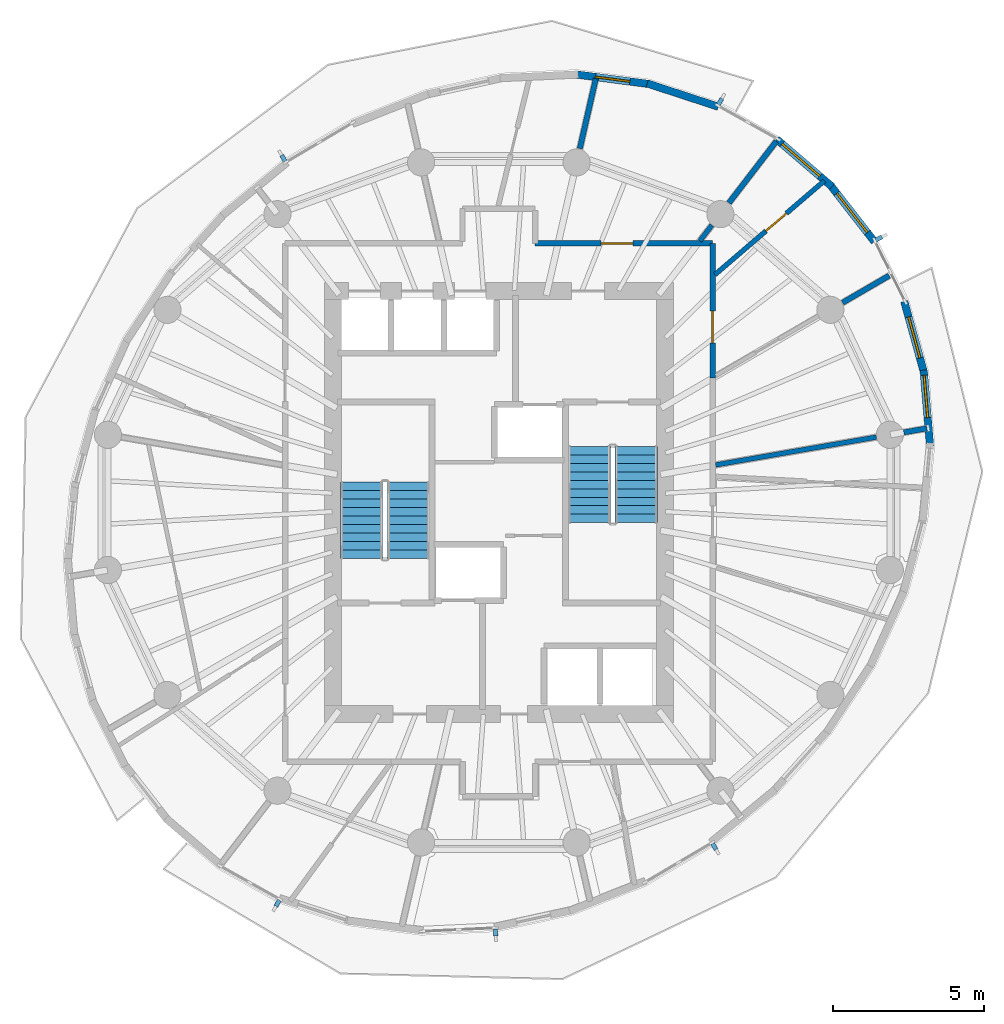
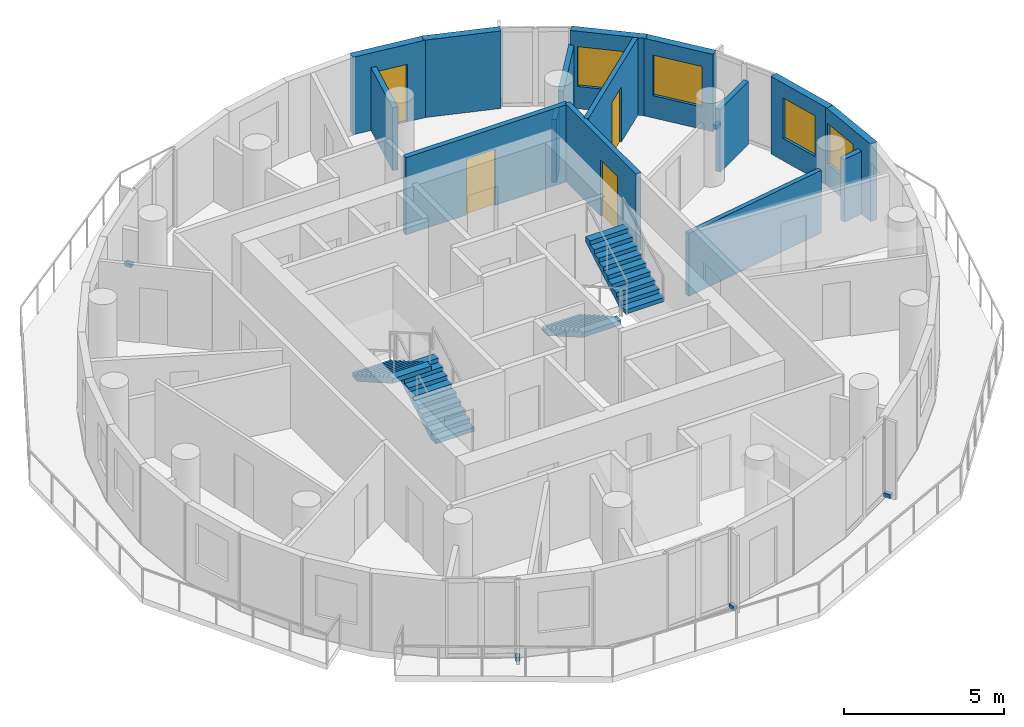
# One storey, part 7 of 10: 15 walls, 6 discrete accessories, 4 doors, 4 stair flights, 4 windows, 8 openings, 2 elements without a shape of their own.
"""IFC4 building model written with IfcOpenShell, lengths in metres."""

import ifcopenshell
import ifcopenshell.guid

model = None  # the IFC model being written
_history = None  # IfcOwnerHistory: only IFC2X3 demands one
_inside = {}  # id of a spatial element -> (the spatial element, [elements in it])
_under = {}  # id of a project, library or spatial element -> (it, [spatial elements below it])
_declared = {}  # id of a project -> (the project, [libraries it declares])
_typed = {}  # id of a type object -> (the type object, [elements of that type])
_made_of = {}  # id of a material, layer set ... -> (it, [elements and type objects made of it])


def new_model(schema):
    """Start an empty IFC model of exactly this schema.

    Asked for "IFC4X3", IfcOpenShell would pick the latest addendum, in which some entities
    have other attributes; the version numbers below select the first issue.
    IFC2X3 requires an IfcOwnerHistory on every rooted entity: one is made here for all.
    """
    global model, _history
    if schema == "IFC4X3":
        model = ifcopenshell.file(schema_version=(4, 3, 0, 0))
    else:
        model = ifcopenshell.file(schema=schema)
    _inside.clear()
    _under.clear()
    _declared.clear()
    _typed.clear()
    _made_of.clear()
    _history = None
    if model.schema == "IFC2X3":
        org = make("IfcOrganization", Name="unknown")
        user = make(
            "IfcPersonAndOrganization",
            ThePerson=make("IfcPerson", FamilyName="unknown"),
            TheOrganization=org,
        )
        app = make(
            "IfcApplication",
            ApplicationDeveloper=org,
            Version="unknown",
            ApplicationFullName="unknown",
            ApplicationIdentifier="unknown",
        )
        _history = make(
            "IfcOwnerHistory",
            OwningUser=user,
            OwningApplication=app,
            ChangeAction="ADDED",
            CreationDate=0,
        )
    return model


def make(cls, **values):
    """One entity of the class cls with the attributes given. An attribute that is None is left unset."""
    return model.create_entity(
        cls, **{name: value for name, value in values.items() if value is not None}
    )


def rooted(cls, **values):
    """An entity with a GlobalId (a new one), such as an element, a storey or a relation."""
    return make(cls, GlobalId=ifcopenshell.guid.new(), OwnerHistory=_history, **values)


def si_unit(unit_type, name, prefix=None):
    """IfcSIUnit, for example si_unit("LENGTHUNIT", "METRE", prefix="MILLI")."""
    return make("IfcSIUnit", UnitType=unit_type, Prefix=prefix, Name=name)


def assignment(units):
    """IfcUnitAssignment: the units of a project."""
    return None if units is None else make("IfcUnitAssignment", Units=units)


def point(xyz):
    """IfcCartesianPoint."""
    return None if xyz is None else make("IfcCartesianPoint", Coordinates=xyz)


def direction(xyz):
    """IfcDirection."""
    return None if xyz is None else make("IfcDirection", DirectionRatios=xyz)


def frame(location, z_axis=None, x_axis=None):
    """IfcAxis2Placement3D, a coordinate frame: its origin and axes. An axis left out is left unset."""
    return make(
        "IfcAxis2Placement3D",
        Location=point(location),
        Axis=direction(z_axis),
        RefDirection=direction(x_axis),
    )


def frame_2d(location, x_axis=None):
    """IfcAxis2Placement2D, a coordinate frame in the plane: its origin and x axis."""
    return make(
        "IfcAxis2Placement2D", Location=point(location), RefDirection=direction(x_axis)
    )


def origin():
    """The frame at (0, 0, 0) with its axes left unset."""
    return frame((0.0, 0.0, 0.0))


def origin_2d():
    """The frame at (0, 0) in the plane with its x axis left unset."""
    return frame_2d((0.0, 0.0))


def place(relative_to, where):
    """IfcLocalPlacement: puts the frame where relative to a parent placement (None: the world)."""
    return make(
        "IfcLocalPlacement", PlacementRelTo=relative_to, RelativePlacement=where
    )


def context(
    kind, dimensions, precision=None, world=None, true_north=None, identifier=None
):
    """IfcGeometricRepresentationContext, for example the 3D "Model" context."""
    return make(
        "IfcGeometricRepresentationContext",
        ContextIdentifier=identifier,
        ContextType=kind,
        CoordinateSpaceDimension=dimensions,
        Precision=precision,
        WorldCoordinateSystem=world,
        TrueNorth=true_north,
    )


def subcontext(parent, identifier, kind, view, scale=None):
    """IfcGeometricRepresentationSubContext, for example "Body" below "Model"."""
    return make(
        "IfcGeometricRepresentationSubContext",
        ContextIdentifier=identifier,
        ContextType=kind,
        ParentContext=parent,
        TargetScale=scale,
        TargetView=view,
    )


def project(units=None, contexts=None):
    """IfcProject with its units and contexts."""
    return rooted(
        "IfcProject",
        Name="project",
        RepresentationContexts=contexts,
        UnitsInContext=assignment(units),
    )


def spatial(cls, under=None, at=None, **own):
    """A site, building, storey or space (cls), placed at a placement, below another one or the project."""
    s = rooted(cls, ObjectPlacement=at, **own)
    if under is not None:
        _under.setdefault(under.id(), (under, []))[1].append(s)
    return s


def polyline(points):
    """IfcPolyline through the points."""
    return make("IfcPolyline", Points=[point(p) for p in points])


def profile(cls, at=None, kind="AREA", **sizes):
    """A parametric profile (cls). Its sizes go by their IFC names, for example OverallWidth=200.0."""
    return make(cls, ProfileType=kind, Position=at, **sizes)


def rectangle(**sizes):
    """IfcRectangleProfileDef."""
    return profile("IfcRectangleProfileDef", **sizes)


def outline(outer, holes=None, kind="AREA"):
    """IfcArbitraryClosedProfileDef: a profile drawn as a closed curve; with holes, ...WithVoids."""
    if holes is None:
        return make("IfcArbitraryClosedProfileDef", ProfileType=kind, OuterCurve=outer)
    return make(
        "IfcArbitraryProfileDefWithVoids",
        ProfileType=kind,
        OuterCurve=outer,
        InnerCurves=holes,
    )


def extrude(swept, where, along, depth):
    """IfcExtrudedAreaSolid: the profile swept, set in the frame where, extruded along a direction by depth."""
    return make(
        "IfcExtrudedAreaSolid",
        SweptArea=swept,
        Position=where,
        ExtrudedDirection=direction(along),
        Depth=depth,
    )


def shape(context_of_items, identifier, shape_type, items):
    """IfcShapeRepresentation: the items that make up one representation, for example the "Body"."""
    return make(
        "IfcShapeRepresentation",
        ContextOfItems=context_of_items,
        RepresentationIdentifier=identifier,
        RepresentationType=shape_type,
        Items=items,
    )


def material(Name=None, Category=None):
    """IfcMaterial."""
    return make("IfcMaterial", Name=Name, Category=Category)


def layer(
    of_material, thickness, ventilated=None, Name=None, Category=None, Priority=None
):
    """IfcMaterialLayer: one layer of a wall or slab, of a material (None: an air gap)."""
    return make(
        "IfcMaterialLayer",
        Material=of_material,
        LayerThickness=thickness,
        IsVentilated=ventilated,
        Name=Name,
        Category=Category,
        Priority=Priority,
    )


def layer_set(layers, Name=None):
    """IfcMaterialLayerSet."""
    return make("IfcMaterialLayerSet", MaterialLayers=layers, LayerSetName=Name)


def made_of(thing, what):
    """Note that an element or type object is made of a material, layer set ...; save() writes the relation."""
    if what is not None:
        _made_of.setdefault(what.id(), (what, []))[1].append(thing)
    return thing


def type_object(cls, material=None, **own):
    """A type object (cls), such as IfcWallType, which elements share."""
    return made_of(rooted(cls, **own), material)


def element(
    cls,
    number,
    at=None,
    inside=None,
    cuts=None,
    type_object=None,
    material=None,
    context=None,
    identifier="Body",
    shape_type=None,
    held_by="IfcProductDefinitionShape",
    body=None,
    shapes=None,
    **own,
):
    """One element of the class cls, such as IfcWall. Its Tag is "e" and its number.

    at: its placement. inside: the storey or other place that contains it. cuts: it is an
    opening in that element (IfcRelVoidsElement). A single representation is given by context,
    identifier, shape_type and body (its items); several are given by shapes. held_by: the class
    of the entity that holds the representations. save() writes the other relations.
    """
    e = rooted(cls, Tag="e%d" % number, ObjectPlacement=at, **own)
    if body is not None:
        shapes = [shape(context, identifier, shape_type, body)]
    if shapes is not None:
        e.Representation = make(held_by, Representations=shapes)
    if inside is not None:
        _inside.setdefault(inside.id(), (inside, []))[1].append(e)
    if cuts is not None:
        rooted(
            "IfcRelVoidsElement", RelatingBuildingElement=cuts, RelatedOpeningElement=e
        )
    if type_object is not None:
        _typed.setdefault(type_object.id(), (type_object, []))[1].append(e)
    return made_of(e, material)


def fill(opening, filler):
    """IfcRelFillsElement: the door or window that sits in an opening."""
    return rooted(
        "IfcRelFillsElement",
        RelatingOpeningElement=opening,
        RelatedBuildingElement=filler,
    )


def aggregate(whole, parts):
    """IfcRelAggregates: a whole, such as a stair, and the parts it consists of."""
    return rooted("IfcRelAggregates", RelatingObject=whole, RelatedObjects=parts)


def save(model, path):
    """Write the relations noted so far, then the file.

    IfcRelAggregates (storeys below a building ...), IfcRelContainedInSpatialStructure (elements
    in a storey), IfcRelDefinesByType, IfcRelAssociatesMaterial and IfcRelDeclares: one each for
    every whole, place, type object, material and project.
    """
    for whole, parts in _under.values():
        aggregate(whole, parts)
    for where, things in _inside.values():
        rooted(
            "IfcRelContainedInSpatialStructure",
            RelatedElements=things,
            RelatingStructure=where,
        )
    for kind, things in _typed.values():
        rooted("IfcRelDefinesByType", RelatedObjects=things, RelatingType=kind)
    for what, things in _made_of.values():
        rooted("IfcRelAssociatesMaterial", RelatedObjects=things, RelatingMaterial=what)
    for by, libraries in _declared.values():
        rooted("IfcRelDeclares", RelatingContext=by, RelatedDefinitions=libraries)
    model.write(path)


model = new_model("IFC4")

# Units and contexts
model_context = context("Model", 3, precision=1e-05, world=origin(), true_north=direction((0.0, 1.0)))
body_context = subcontext(model_context, "Body", "Model", "MODEL_VIEW")
ifc_project = project(units=[si_unit("LENGTHUNIT", "METRE"), si_unit("AREAUNIT", "SQUARE_METRE"), si_unit("VOLUMEUNIT", "CUBIC_METRE"), si_unit("PLANEANGLEUNIT", "RADIAN"), si_unit("MASSUNIT", "GRAM", prefix="KILO")], contexts=[model_context])

# Site, building, storey
site_placement = place(None, origin())
site = spatial("IfcSite", under=ifc_project, at=site_placement, CompositionType="ELEMENT")
building_placement = place(site_placement, origin())
building = spatial("IfcBuilding", under=site, at=building_placement, Name="Veldorim Arch Residences", CompositionType="ELEMENT")
storey_placement = place(building_placement, frame((0.0, 0.0, 175.840087890625)))
storey = spatial("IfcBuildingStorey", under=building, at=storey_placement, Name="L52", CompositionType="ELEMENT", Elevation=175.840087890625)

# Walls
ifc_material_1 = material(Name="Lightweight Masonry Block & Gypsum", Category="masonry")
ifc_layer_1 = layer(ifc_material_1, 0.179931640625, Name="Compartment & Corridor Fire-Rated Party Wall 180")
ifc_layer_set_1 = layer_set([ifc_layer_1], Name="Lightweight Masonry Block & Gypsum")
wall_type_1 = type_object("IfcWallType", Name="Compartment & Corridor Fire-Rated Party Wall 180", PredefinedType="PARTITIONING", material=ifc_layer_set_1)
wall_1_placement = place(storey_placement, frame((45.409423828125, 26.319580078125, 0.0), z_axis=(0.0, 0.0, 1.0), x_axis=(0.985363715758, 0.170465092225, 0.0)))
element("IfcWall", 1, at=wall_1_placement, inside=storey, type_object=wall_type_1, Name="L52 interior wall WL-PIER-L52-01", PredefinedType="PARTITIONING", context=body_context, shape_type="SweptSolid", body=[
    extrude(rectangle(XDim=0.7763671875, YDim=0.179931640625, at=frame_2d((0.38818359375, 0.0))), origin(), (0.0, 0.0, 1.0), 2.4033203125),
])
wall_2_placement = place(storey_placement, frame((43.3818359375, 30.614013671875, 0.0), z_axis=(0.0, 0.0, 1.0), x_axis=(0.86456661279, 0.502518230563, 0.0)))
element("IfcWall", 2, at=wall_2_placement, inside=storey, type_object=wall_type_1, Name="L52 interior wall WL-PIER-L52-02", PredefinedType="PARTITIONING", context=body_context, shape_type="SweptSolid", body=[
    extrude(rectangle(XDim=1.784912109375, YDim=0.179931640625, at=frame_2d((0.892578125, 0.0))), origin(), (0.0, 0.0, 1.0), 2.4033203125),
])
wall_3_placement = place(storey_placement, frame((39.619873046875, 33.91796875, 0.0), z_axis=(0.0, 0.0, 1.0), x_axis=(0.609164681512, 0.793043750873, 0.0)))
element("IfcWall", 3, at=wall_3_placement, inside=storey, type_object=wall_type_1, Name="L52 interior wall WL-PIER-L52-03", PredefinedType="PARTITIONING", context=body_context, shape_type="SweptSolid", body=[
    extrude(rectangle(XDim=2.57177734375, YDim=0.179931640625, at=frame_2d((1.285888671875, 0.0))), origin(), (0.0, 0.0, 1.0), 2.4033203125),
])
wall_4_placement = place(storey_placement, frame((34.679931640625, 35.717529296875, 0.0), z_axis=(0.0, 0.0, 1.0), x_axis=(0.223011847659, 0.974815734282, 0.0)))
element("IfcWall", 4, at=wall_4_placement, inside=storey, type_object=wall_type_1, Name="L52 interior wall WL-PIER-L52-04", PredefinedType="PARTITIONING", context=body_context, shape_type="SweptSolid", body=[
    extrude(rectangle(XDim=2.37451171875, YDim=0.179931640625, at=frame_2d((1.187255859375, 0.0))), origin(), (0.0, 0.0, 1.0), 2.4033203125),
])

# Wall, opening, door
wall_5_placement = place(storey_placement, frame((39.080078125, 32.580078125, 0.0), z_axis=(0.0, 0.0, 1.0), x_axis=(0.0, -1.0, 0.0)))
wall_5 = element("IfcWall", 5, at=wall_5_placement, inside=storey, type_object=wall_type_1, Name="L52 interior wall WL-RES-L52-007", PredefinedType="PARTITIONING", context=body_context, shape_type="SweptSolid", body=[
    extrude(rectangle(XDim=4.4677734375, YDim=0.179931640625, at=frame_2d((2.23388671875, 0.0))), origin(), (0.0, 0.0, 1.0), 2.954833984375),
])
opening_1_placement = place(wall_5_placement, frame((2.24609375, 0.0, 0.0)))
opening_1 = element("IfcOpeningElement", 6, at=opening_1_placement, cuts=wall_5, Name="Opening DR-FLT", PredefinedType="OPENING", context=body_context, shape_type="SweptSolid", body=[
    extrude(rectangle(XDim=1.050048828125, YDim=2.14990234375, at=frame_2d((0.52490234375, 1.074951171875))), frame((0.0, 0.099853515625, 0.0), z_axis=(0.0, -1.0, 0.0), x_axis=(1.0, 0.0, 0.0)), (0.0, 0.0, 1.0), 0.199951171875),
])
ifc_material_2 = material(Name="Fire-Rated Timber", Category="wood")
door_type_1 = type_object("IfcDoorType", Name="Apartment Entrance Solid-Core Fire Door 1050x2150", OperationType="SINGLE_SWING_LEFT", PredefinedType="DOOR", material=ifc_material_2)
door_1_placement = place(opening_1_placement, origin())
door_1 = element("IfcDoor", 7, at=door_1_placement, inside=storey, type_object=door_type_1, Name="L52 interior door DR-RES-L52-006", OperationType="SINGLE_SWING_RIGHT", OverallHeight=2.14990234375, OverallWidth=1.050048828125, PredefinedType="DOOR", context=body_context, shape_type="SweptSolid", body=[
    extrude(rectangle(XDim=1.050048828125, YDim=2.14990234375, at=frame_2d((0.52490234375, 1.074951171875))), frame((0.0, 0.02490234375, 0.0), z_axis=(0.0, -1.0, 0.0), x_axis=(1.0, 0.0, 0.0)), (0.0, 0.0, 1.0), 0.050048828125),
])
fill(opening_1, door_1)

wall_6_placement = place(storey_placement, frame((33.199951171875, 32.580078125, 0.0), z_axis=(0.0, 0.0, 1.0), x_axis=(1.0, 0.0, 0.0)))
wall_6 = element("IfcWall", 8, at=wall_6_placement, inside=storey, type_object=wall_type_1, Name="L52 interior wall WL-RES-L52-008", PredefinedType="PARTITIONING", context=body_context, shape_type="SweptSolid", body=[
    extrude(rectangle(XDim=5.880126953125, YDim=0.179931640625, at=frame_2d((2.93994140625, 0.0))), origin(), (0.0, 0.0, 1.0), 2.954833984375),
])
opening_2_placement = place(wall_6_placement, frame((2.18359375, 0.0, 0.0)))
opening_2 = element("IfcOpeningElement", 9, at=opening_2_placement, cuts=wall_6, Name="Opening DR-FLT", PredefinedType="OPENING", context=body_context, shape_type="SweptSolid", body=[
    extrude(rectangle(XDim=1.050048828125, YDim=2.14990234375, at=frame_2d((0.52490234375, 1.074951171875))), frame((0.0, 0.099853515625, 0.0), z_axis=(0.0, -1.0, 0.0), x_axis=(1.0, 0.0, 0.0)), (0.0, 0.0, 1.0), 0.199951171875),
])
door_2_placement = place(opening_2_placement, origin())
door_2 = element("IfcDoor", 10, at=door_2_placement, inside=storey, type_object=door_type_1, Name="L52 interior door DR-RES-L52-009", OperationType="SINGLE_SWING_LEFT", OverallHeight=2.14990234375, OverallWidth=1.050048828125, PredefinedType="DOOR", context=body_context, shape_type="SweptSolid", body=[
    extrude(rectangle(XDim=1.050048828125, YDim=2.14990234375, at=frame_2d((0.52490234375, 1.074951171875))), frame((0.0, 0.02490234375, 0.0), z_axis=(0.0, -1.0, 0.0), x_axis=(1.0, 0.0, 0.0)), (0.0, 0.0, 1.0), 0.050048828125),
])
fill(opening_2, door_2)

# Wall, opening, window
ifc_material_3 = material(Name="Precast concrete C40/50", Category="concrete")
ifc_layer_2 = layer(ifc_material_3, 0.25, Name="Tower Terracotta Spandrel & Pier Wall 250")
ifc_layer_set_2 = layer_set([ifc_layer_2], Name="Precast concrete C40/50")
wall_type_2 = type_object("IfcWallType", Name="Tower Terracotta Spandrel & Pier Wall 250", PredefinedType="SOLIDWALL", material=ifc_layer_set_2)
wall_7_placement = place(storey_placement, frame((41.1982421875, 36.02685546875, 0.0), z_axis=(0.0, 0.0, 1.0), x_axis=(0.759591927835, -0.65039995631, 0.0)))
wall_7 = element("IfcWall", 11, at=wall_7_placement, inside=storey, type_object=wall_type_2, Name="L52 terracotta facade wall 01", PredefinedType="SOLIDWALL", context=body_context, shape_type="SweptSolid", body=[
    extrude(rectangle(XDim=2.414794921875, YDim=0.25, at=frame_2d((1.20751953125, 0.0))), origin(), (0.0, 0.0, 1.0), 2.9599609375),
])
opening_3_placement = place(wall_7_placement, frame((0.23388671875, 0.0, 0.85009765625)))
opening_3 = element("IfcOpeningElement", 12, at=opening_3_placement, cuts=wall_7, Name="Opening WN-03", PredefinedType="OPENING", context=body_context, shape_type="SweptSolid", body=[
    extrude(rectangle(XDim=1.64990234375, YDim=1.52001953125, at=frame_2d((0.824951171875, 0.760009765625))), frame((0.0, 0.135009765625, 0.0), z_axis=(0.0, -1.0, 0.0), x_axis=(1.0, 0.0, 0.0)), (0.0, 0.0, 1.0), 0.27001953125),
])
ifc_material_4 = material(Name="Laminated Low-E Glass", Category="glass")
window_type_1 = type_object("IfcWindowType", Name="Residential Wide Window 1650x1550", PartitioningType="SINGLE_PANEL", PredefinedType="WINDOW", material=ifc_material_4)
window_1_placement = place(opening_3_placement, origin())
window_1 = element("IfcWindow", 13, at=window_1_placement, inside=storey, type_object=window_type_1, Name="L52 solar-control facade window 01", OverallHeight=1.52001953125, OverallWidth=1.64990234375, PartitioningType="SINGLE_PANEL", PredefinedType="WINDOW", context=body_context, shape_type="SweptSolid", body=[
    extrude(rectangle(XDim=1.64990234375, YDim=1.52001953125, at=frame_2d((0.824951171875, 0.760009765625))), frame((0.0, 0.030029296875, 0.0), z_axis=(0.0, -1.0, 0.0), x_axis=(1.0, 0.0, 0.0)), (0.0, 0.0, 1.0), 0.06005859375),
])
fill(opening_3, window_1)

# Wall
wall_8_placement = place(storey_placement, frame((36.9140625, 37.874755859375, 0.0), z_axis=(0.0, 0.0, 1.0), x_axis=(0.950422545433, -0.310961388491, 0.0)))
element("IfcWall", 14, at=wall_8_placement, inside=storey, type_object=wall_type_2, Name="L52 terracotta facade wall 03", PredefinedType="SOLIDWALL", context=body_context, shape_type="SweptSolid", body=[
    extrude(rectangle(XDim=2.477783203125, YDim=0.25, at=frame_2d((1.23876953125, 0.0))), origin(), (0.0, 0.0, 1.0), 2.9599609375),
])

# Wall, opening, door
wall_9_placement = place(storey_placement, frame((34.513427734375, 38.17919921875, 0.0), z_axis=(0.0, 0.0, 1.0), x_axis=(0.991491995227, -0.130167674176, 0.0)))
wall_9 = element("IfcWall", 15, at=wall_9_placement, inside=storey, type_object=wall_type_2, Name="L52 terracotta facade wall 04", PredefinedType="SOLIDWALL", context=body_context, shape_type="SweptSolid", body=[
    extrude(rectangle(XDim=2.531982421875, YDim=0.25, at=frame_2d((1.26611328125, 0.0))), origin(), (0.0, 0.0, 1.0), 2.9599609375),
])
opening_4_placement = place(wall_9_placement, frame((0.69091796875, 0.0, 0.0)))
opening_4 = element("IfcOpeningElement", 16, at=opening_4_placement, cuts=wall_9, Name="Opening BL-DR", PredefinedType="OPENING", context=body_context, shape_type="SweptSolid", body=[
    extrude(rectangle(XDim=1.14990234375, YDim=2.199951171875, at=frame_2d((0.574951171875, 1.10009765625))), frame((0.0, 0.135009765625, 0.0), z_axis=(0.0, -1.0, 0.0), x_axis=(1.0, 0.0, 0.0)), (0.0, 0.0, 1.0), 0.27001953125),
])
ifc_material_5 = material(Name="Aluminium & Low-E Glass", Category="aluminium")
door_type_2 = type_object("IfcDoorType", Name="Glazed Planted Balcony Door 1150x2200", OperationType="SINGLE_SWING_LEFT", PredefinedType="DOOR", material=ifc_material_5)
door_3_placement = place(opening_4_placement, origin())
door_3 = element("IfcDoor", 17, at=door_3_placement, inside=storey, type_object=door_type_2, Name="L52 glazed outdoor terrace door BALC-1", OperationType="SINGLE_SWING_RIGHT", OverallHeight=2.199951171875, OverallWidth=1.14990234375, PredefinedType="DOOR", context=body_context, shape_type="SweptSolid", body=[
    extrude(rectangle(XDim=1.14990234375, YDim=2.199951171875, at=frame_2d((0.574951171875, 1.10009765625))), frame((0.0, 0.02490234375, 0.0), z_axis=(0.0, -1.0, 0.0), x_axis=(1.0, 0.0, 0.0)), (0.0, 0.0, 1.0), 0.050048828125),
])
fill(opening_4, door_3)

# Wall, opening, window
wall_10_placement = place(storey_placement, frame((46.06640625, 28.380615234375, 0.0), z_axis=(0.0, 0.0, 1.0), x_axis=(0.084274320236, -0.996442591898, 0.0)))
wall_10 = element("IfcWall", 18, at=wall_10_placement, inside=storey, type_object=wall_type_2, Name="L52 terracotta facade wall 33", PredefinedType="SOLIDWALL", context=body_context, shape_type="SweptSolid", body=[
    extrude(rectangle(XDim=2.531982421875, YDim=0.25, at=frame_2d((1.26611328125, 0.0))), origin(), (0.0, 0.0, 1.0), 2.9599609375),
])
opening_5_placement = place(wall_10_placement, frame((0.175048828125, 0.0, 0.85009765625)))
opening_5 = element("IfcOpeningElement", 19, at=opening_5_placement, cuts=wall_10, Name="Opening WN-02", PredefinedType="OPENING", context=body_context, shape_type="SweptSolid", body=[
    extrude(rectangle(XDim=1.39990234375, YDim=1.550048828125, at=frame_2d((0.699951171875, 0.77490234375))), frame((0.0, 0.135009765625, 0.0), z_axis=(0.0, -1.0, 0.0), x_axis=(1.0, 0.0, 0.0)), (0.0, 0.0, 1.0), 0.27001953125),
])
ifc_material_6 = material(Name="Laminated Low-E Glass", Category="glass")
window_type_2 = type_object("IfcWindowType", Name="Residential Casement Window 1400x1550", PartitioningType="SINGLE_PANEL", PredefinedType="WINDOW", material=ifc_material_6)
window_2_placement = place(opening_5_placement, origin())
window_2 = element("IfcWindow", 20, at=window_2_placement, inside=storey, type_object=window_type_2, Name="L52 solar-control facade window 33", OverallHeight=1.550048828125, OverallWidth=1.39990234375, PartitioningType="SINGLE_PANEL", PredefinedType="WINDOW", context=body_context, shape_type="SweptSolid", body=[
    extrude(rectangle(XDim=1.39990234375, YDim=1.550048828125, at=frame_2d((0.699951171875, 0.77490234375))), frame((0.0, 0.030029296875, 0.0), z_axis=(0.0, -1.0, 0.0), x_axis=(1.0, 0.0, 0.0)), (0.0, 0.0, 1.0), 0.06005859375),
])
fill(opening_5, window_2)

wall_11_placement = place(storey_placement, frame((45.42529296875, 30.65771484375, 0.0), z_axis=(0.0, 0.0, 1.0), x_axis=(0.266734060973, -0.96377017007, 0.0)))
wall_11 = element("IfcWall", 21, at=wall_11_placement, inside=storey, type_object=wall_type_2, Name="L52 terracotta facade wall 34", PredefinedType="SOLIDWALL", context=body_context, shape_type="SweptSolid", body=[
    extrude(rectangle(XDim=2.477783203125, YDim=0.25, at=frame_2d((1.23876953125, 0.0))), origin(), (0.0, 0.0, 1.0), 2.9599609375),
])
opening_6_placement = place(wall_11_placement, frame((0.5390625, 0.0, 0.85009765625)))
opening_6 = element("IfcOpeningElement", 22, at=opening_6_placement, cuts=wall_11, Name="Opening WN-02", PredefinedType="OPENING", context=body_context, shape_type="SweptSolid", body=[
    extrude(rectangle(XDim=1.39990234375, YDim=1.550048828125, at=frame_2d((0.699951171875, 0.77490234375))), frame((0.0, 0.135009765625, 0.0), z_axis=(0.0, -1.0, 0.0), x_axis=(1.0, 0.0, 0.0)), (0.0, 0.0, 1.0), 0.27001953125),
])
window_3_placement = place(opening_6_placement, origin())
window_3 = element("IfcWindow", 23, at=window_3_placement, inside=storey, type_object=window_type_2, Name="L52 solar-control facade window 34", OverallHeight=1.550048828125, OverallWidth=1.39990234375, PartitioningType="SINGLE_PANEL", PredefinedType="WINDOW", context=body_context, shape_type="SweptSolid", body=[
    extrude(rectangle(XDim=1.39990234375, YDim=1.550048828125, at=frame_2d((0.699951171875, 0.77490234375))), frame((0.0, 0.030029296875, 0.0), z_axis=(0.0, -1.0, 0.0), x_axis=(1.0, 0.0, 0.0)), (0.0, 0.0, 1.0), 0.06005859375),
])
fill(opening_6, window_3)

wall_12_placement = place(storey_placement, frame((42.953369140625, 34.539306640625, 0.0), z_axis=(0.0, 0.0, 1.0), x_axis=(0.61468225386, -0.788774826417, 0.0)))
wall_12 = element("IfcWall", 24, at=wall_12_placement, inside=storey, type_object=wall_type_2, Name="L52 terracotta facade wall 36", PredefinedType="SOLIDWALL", context=body_context, shape_type="SweptSolid", body=[
    extrude(rectangle(XDim=2.414794921875, YDim=0.25, at=frame_2d((1.20751953125, 0.0))), origin(), (0.0, 0.0, 1.0), 2.9599609375),
])
opening_7_placement = place(wall_12_placement, frame((0.382080078125, 0.0, 0.85009765625)))
opening_7 = element("IfcOpeningElement", 25, at=opening_7_placement, cuts=wall_12, Name="Opening WN-03", PredefinedType="OPENING", context=body_context, shape_type="SweptSolid", body=[
    extrude(rectangle(XDim=1.64990234375, YDim=1.550048828125, at=frame_2d((0.824951171875, 0.77490234375))), frame((0.0, 0.135009765625, 0.0), z_axis=(0.0, -1.0, 0.0), x_axis=(1.0, 0.0, 0.0)), (0.0, 0.0, 1.0), 0.27001953125),
])
window_4_placement = place(opening_7_placement, origin())
window_4 = element("IfcWindow", 26, at=window_4_placement, inside=storey, type_object=window_type_1, Name="L52 solar-control facade window 36", OverallHeight=1.550048828125, OverallWidth=1.64990234375, PartitioningType="SINGLE_PANEL", PredefinedType="WINDOW", context=body_context, shape_type="SweptSolid", body=[
    extrude(rectangle(XDim=1.64990234375, YDim=1.550048828125, at=frame_2d((0.824951171875, 0.77490234375))), frame((0.0, 0.030029296875, 0.0), z_axis=(0.0, -1.0, 0.0), x_axis=(1.0, 0.0, 0.0)), (0.0, 0.0, 1.0), 0.06005859375),
])
fill(opening_7, window_4)

# Wall
ifc_material_7 = material(Name="Moisture-Resistant Gypsum & Stud", Category="gypsum")
ifc_layer_3 = layer(ifc_material_7, 0.159912109375, Name="Wet-Area Moisture-Resistant Plumbing Wall 160")
ifc_layer_set_3 = layer_set([ifc_layer_3], Name="Moisture-Resistant Gypsum & Stud")
wall_type_3 = type_object("IfcWallType", Name="Wet-Area Moisture-Resistant Plumbing Wall 160", PredefinedType="PLUMBINGWALL", material=ifc_layer_set_3)
wall_13_placement = place(storey_placement, frame((39.178466796875, 25.24169921875, 0.0), z_axis=(0.0, 0.0, 1.0), x_axis=(0.985362047777, 0.170474733611, 0.0)))
element("IfcWall", 27, at=wall_13_placement, inside=storey, type_object=wall_type_3, Name="L52 interior wall WL-RES-L52-021", PredefinedType="PLUMBINGWALL", context=body_context, shape_type="SweptSolid", body=[
    extrude(rectangle(XDim=5.399169921875, YDim=0.159912109375, at=frame_2d((2.69970703125, 0.0))), origin(), (0.0, 0.0, 1.0), 2.4033203125),
])

# Wall, opening, door
wall_14_placement = place(storey_placement, frame((39.156005859375, 31.5439453125, 0.0), z_axis=(0.0, 0.0, 1.0), x_axis=(0.759083333315, 0.650993466238, 0.0)))
wall_14 = element("IfcWall", 28, at=wall_14_placement, inside=storey, type_object=wall_type_3, Name="L52 interior wall WL-RES-L52-022", PredefinedType="PLUMBINGWALL", context=body_context, shape_type="SweptSolid", body=[
    extrude(rectangle(XDim=4.77490234375, YDim=0.159912109375, at=frame_2d((2.387451171875, 0.0))), origin(), (0.0, 0.0, 1.0), 2.954833984375),
])
opening_8_placement = place(wall_14_placement, frame((2.21728515625, 0.0, 0.0)))
opening_8 = element("IfcOpeningElement", 29, at=opening_8_placement, cuts=wall_14, Name="Opening DR-WC", PredefinedType="OPENING", context=body_context, shape_type="SweptSolid", body=[
    extrude(rectangle(XDim=0.89990234375, YDim=2.10009765625, at=frame_2d((0.449951171875, 1.050048828125))), frame((0.0, 0.08984375, 0.0), z_axis=(0.0, -1.0, 0.0), x_axis=(1.0, 0.0, 0.0)), (0.0, 0.0, 1.0), 0.179931640625),
])
ifc_material_8 = material(Name="Laminate Timber", Category="wood")
door_type_3 = type_object("IfcDoorType", Name="Bathroom & Accessible WC Moisture-Sealed Door 900x2100", OperationType="SINGLE_SWING_LEFT", PredefinedType="DOOR", material=ifc_material_8)
door_4_placement = place(opening_8_placement, origin())
door_4 = element("IfcDoor", 30, at=door_4_placement, inside=storey, type_object=door_type_3, Name="L52 interior door DR-RES-L52-007", OperationType="SINGLE_SWING_LEFT", OverallHeight=2.10009765625, OverallWidth=0.89990234375, PredefinedType="DOOR", context=body_context, shape_type="SweptSolid", body=[
    extrude(rectangle(XDim=0.89990234375, YDim=2.10009765625, at=frame_2d((0.449951171875, 1.050048828125))), frame((0.0, 0.02490234375, 0.0), z_axis=(0.0, -1.0, 0.0), x_axis=(1.0, 0.0, 0.0)), (0.0, 0.0, 1.0), 0.050048828125),
])
fill(opening_8, door_4)

# Wall
wall_15_placement = place(storey_placement, frame((38.65283203125, 32.6591796875, 0.0), z_axis=(0.0, 0.0, 1.0), x_axis=(0.609101063055, 0.79309261438, 0.0)))
element("IfcWall", 31, at=wall_15_placement, inside=storey, type_object=wall_type_3, Name="L52 interior wall WL-RES-L52-024", PredefinedType="PLUMBINGWALL", context=body_context, shape_type="SweptSolid", body=[
    extrude(rectangle(XDim=0.658203125, YDim=0.159912109375, at=frame_2d((0.3291015625, 0.0))), origin(), (0.0, 0.0, 1.0), 2.4033203125),
])

# Stair, stair flights
ifc_material_9 = material(Name="Concrete C40/50", Category="concrete")
stair_type = type_object("IfcStairType", Name="Reinforced Concrete Dogleg Exit Staircase", PredefinedType="HALF_TURN_STAIR", material=ifc_material_9)
stair_1_placement = place(storey_placement, origin())
stair_1 = element("IfcStair", 32, at=stair_1_placement, inside=storey, type_object=stair_type, Name="L52 Exit Staircase ST-1", PredefinedType="HALF_TURN_STAIR")
ifc_material_10 = material(Name="Concrete C40/50", Category="concrete")
stair_flight_type = type_object("IfcStairFlightType", Name="Reinforced Concrete Stair Flight 1400", PredefinedType="STRAIGHT", material=ifc_material_10)
stair_flight_1_placement = place(storey_placement, frame((29.010009765625, 22.14990234375, 0.0), z_axis=(0.0, 0.0, 1.0), x_axis=(0.0, 1.0, 0.0)))
stair_flight_1 = element("IfcStairFlight", 33, at=stair_flight_1_placement, type_object=stair_flight_type, Name="ST-1 flight 1", NumberOfRisers=10, NumberOfTreads=9, PredefinedType="STRAIGHT", RiserHeight=0.16, TreadLength=0.28, context=body_context, shape_type="SweptSolid", body=[
    extrude(outline(polyline([(0.0, 0.0), (0.0, 0.159912109375), (0.280029296875, 0.159912109375), (0.280029296875, 0.320068359375), (0.56005859375, 0.320068359375), (0.56005859375, 0.47998046875), (0.840087890625, 0.47998046875), (0.840087890625, 0.639892578125), (1.1201171875, 0.639892578125), (1.1201171875, 0.800048828125), (1.39990234375, 0.800048828125), (1.39990234375, 0.9599609375), (1.679931640625, 0.9599609375), (1.679931640625, 1.1201171875), (1.9599609375, 1.1201171875), (1.9599609375, 1.280029296875), (2.239990234375, 1.280029296875), (2.239990234375, 1.43994140625), (2.52001953125, 1.43994140625), (2.52001953125, 1.60009765625), (2.52001953125, 1.255859375), (0.322265625, 0.0), (0.0, 0.0)])), frame((0.0, 0.699951171875, 0.0), z_axis=(0.0, -1.0, 0.0), x_axis=(1.0, 0.0, 0.0)), (0.0, 0.0, 1.0), 1.39990234375),
])
stair_flight_2_placement = place(storey_placement, frame((27.449951171875, 24.669921875, 1.599853515625), z_axis=(0.0, 0.0, 1.0), x_axis=(0.0, -1.0, 0.0)))
stair_flight_2 = element("IfcStairFlight", 34, at=stair_flight_2_placement, type_object=stair_flight_type, Name="ST-1 flight 2", NumberOfRisers=10, NumberOfTreads=9, PredefinedType="STRAIGHT", RiserHeight=0.16, TreadLength=0.28, context=body_context, shape_type="SweptSolid", body=[
    extrude(outline(polyline([(0.0, 0.0), (0.0, 0.159912109375), (0.280029296875, 0.159912109375), (0.280029296875, 0.320068359375), (0.56005859375, 0.320068359375), (0.56005859375, 0.47998046875), (0.840087890625, 0.47998046875), (0.840087890625, 0.639892578125), (1.1201171875, 0.639892578125), (1.1201171875, 0.800048828125), (1.39990234375, 0.800048828125), (1.39990234375, 0.9599609375), (1.679931640625, 0.9599609375), (1.679931640625, 1.1201171875), (1.9599609375, 1.1201171875), (1.9599609375, 1.280029296875), (2.239990234375, 1.280029296875), (2.239990234375, 1.43994140625), (2.52001953125, 1.43994140625), (2.52001953125, 1.60009765625), (2.52001953125, 1.255859375), (0.322265625, 0.0), (0.0, 0.0)])), frame((0.0, 0.699951171875, 0.0), z_axis=(0.0, -1.0, 0.0), x_axis=(1.0, 0.0, 0.0)), (0.0, 0.0, 1.0), 1.39990234375),
])
aggregate(stair_1, [stair_flight_1, stair_flight_2])

stair_2_placement = place(storey_placement, origin())
stair_2 = element("IfcStair", 35, at=stair_2_placement, inside=storey, type_object=stair_type, Name="L52 Exit Staircase ST-2", PredefinedType="HALF_TURN_STAIR")
stair_flight_3_placement = place(storey_placement, frame((34.989990234375, 25.85009765625, 0.0), z_axis=(0.0, 0.0, 1.0), x_axis=(0.0, -1.0, 0.0)))
stair_flight_3 = element("IfcStairFlight", 36, at=stair_flight_3_placement, type_object=stair_flight_type, Name="ST-2 flight 1", NumberOfRisers=10, NumberOfTreads=9, PredefinedType="STRAIGHT", RiserHeight=0.16, TreadLength=0.28, context=body_context, shape_type="SweptSolid", body=[
    extrude(outline(polyline([(0.0, 0.0), (0.0, 0.159912109375), (0.280029296875, 0.159912109375), (0.280029296875, 0.320068359375), (0.56005859375, 0.320068359375), (0.56005859375, 0.47998046875), (0.840087890625, 0.47998046875), (0.840087890625, 0.639892578125), (1.1201171875, 0.639892578125), (1.1201171875, 0.800048828125), (1.39990234375, 0.800048828125), (1.39990234375, 0.9599609375), (1.679931640625, 0.9599609375), (1.679931640625, 1.1201171875), (1.9599609375, 1.1201171875), (1.9599609375, 1.280029296875), (2.239990234375, 1.280029296875), (2.239990234375, 1.43994140625), (2.52001953125, 1.43994140625), (2.52001953125, 1.60009765625), (2.52001953125, 1.255859375), (0.322265625, 0.0), (0.0, 0.0)])), frame((0.0, 0.699951171875, 0.0), z_axis=(0.0, -1.0, 0.0), x_axis=(1.0, 0.0, 0.0)), (0.0, 0.0, 1.0), 1.39990234375),
])
stair_flight_4_placement = place(storey_placement, frame((36.550048828125, 23.330078125, 1.599853515625), z_axis=(0.0, 0.0, 1.0), x_axis=(0.0, 1.0, 0.0)))
stair_flight_4 = element("IfcStairFlight", 37, at=stair_flight_4_placement, type_object=stair_flight_type, Name="ST-2 flight 2", NumberOfRisers=10, NumberOfTreads=9, PredefinedType="STRAIGHT", RiserHeight=0.16, TreadLength=0.28, context=body_context, shape_type="SweptSolid", body=[
    extrude(outline(polyline([(0.0, 0.0), (0.0, 0.159912109375), (0.280029296875, 0.159912109375), (0.280029296875, 0.320068359375), (0.56005859375, 0.320068359375), (0.56005859375, 0.47998046875), (0.840087890625, 0.47998046875), (0.840087890625, 0.639892578125), (1.1201171875, 0.639892578125), (1.1201171875, 0.800048828125), (1.39990234375, 0.800048828125), (1.39990234375, 0.9599609375), (1.679931640625, 0.9599609375), (1.679931640625, 1.1201171875), (1.9599609375, 1.1201171875), (1.9599609375, 1.280029296875), (2.239990234375, 1.280029296875), (2.239990234375, 1.43994140625), (2.52001953125, 1.43994140625), (2.52001953125, 1.60009765625), (2.52001953125, 1.255859375), (0.322265625, 0.0), (0.0, 0.0)])), frame((0.0, 0.699951171875, 0.0), z_axis=(0.0, -1.0, 0.0), x_axis=(1.0, 0.0, 0.0)), (0.0, 0.0, 1.0), 1.39990234375),
])
aggregate(stair_2, [stair_flight_3, stair_flight_4])

# Discrete accessories
ifc_material_11 = material(Name="Stainless Steel", Category="steel")
discrete_accessory_type = type_object("IfcDiscreteAccessoryType", Name="Stainless Steel Facade Fin Anchor Bracket", PredefinedType="BRACKET", material=ifc_material_11)
for number, where, z_axis, x_axis, name in (
    (38, (39.325927734375, 37.26904296875, -0.02001953125), (0.0, 0.0, 1.0), (0.873007211547, -0.487707298065, 0.0), "L52 stainless fin anchor bracket 02"),
    (39, (24.86767578125, 35.392578125, -0.02001953125), (0.0, 0.0, 1.0), (0.861097195167, 0.508440380454, 0.0), "L52 stainless fin anchor bracket 08"),
    (40, (24.674072265625, 10.73095703125, -0.02001953125), (0.0, 0.0, 1.0), (-0.873007211547, 0.487707298065, 0.0), "L52 stainless fin anchor bracket 20"),
    (41, (31.890380859375, 9.760498046875, -0.02001953125), (0.0, 0.0, 1.0), (-0.998906257359, -0.046757769503, 0.0), "L52 stainless fin anchor bracket 23"),
    (42, (39.13232421875, 12.607421875, -0.02001953125), (0.0, 0.0, 1.0), (-0.861097195167, -0.508440380454, 0.0), "L52 stainless fin anchor bracket 26"),
    (43, (44.576904296875, 32.739013671875, -0.02001953125), (0.0, 0.0, 1.0), (0.446978620671, -0.894544639838, 0.0), "L52 stainless fin anchor bracket 35"),
):
    element("IfcDiscreteAccessory", number, at=place(storey_placement, frame(where, z_axis=z_axis, x_axis=x_axis)), inside=storey, type_object=discrete_accessory_type, Name=name, PredefinedType="BRACKET", context=body_context, shape_type="SweptSolid", body=[
        extrude(rectangle(XDim=0.139892578125, YDim=0.239990234375, at=origin_2d()), origin(), (0.0, 0.0, 1.0), 0.159912109375),
    ])

save(model, "model.ifc")
